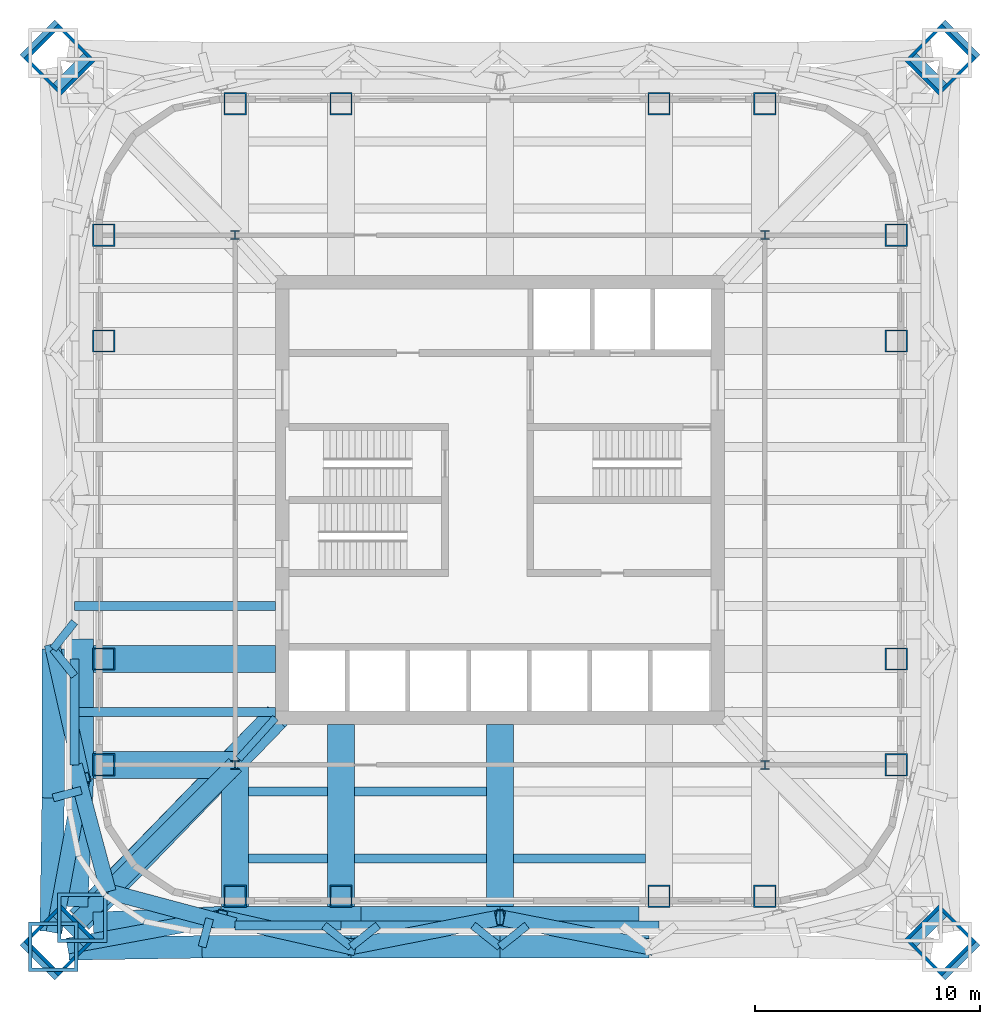
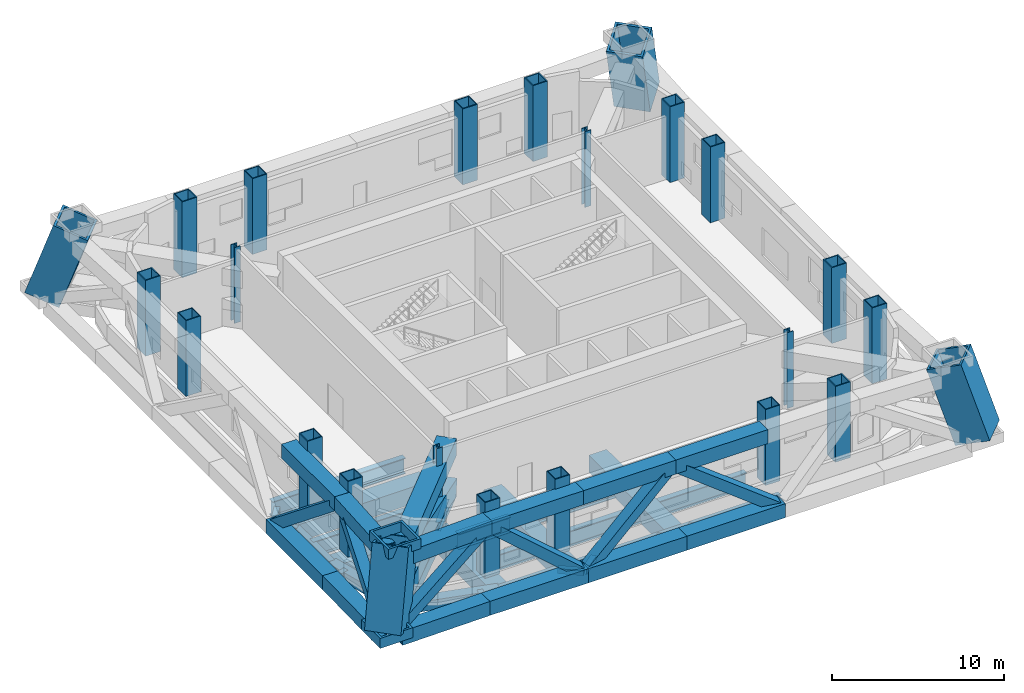
# One storey, part 1 of 9: 41 beams, 24 columns, 9 members.
"""IFC4 building model written with IfcOpenShell, lengths in metres."""

from ifc_helpers import new_model, si_unit, direction, frame, origin, origin_2d, place, context, subcontext, project, spatial, hollow_rectangle, i_section, extrude, clip, halfspace, material, material_profile, profile_set, type_object, element, save


model = new_model("IFC4")

# Units and contexts
model_context = context("Model", 3, precision=1e-05, world=origin(), true_north=direction((0.0, 1.0)))
body_context = subcontext(model_context, "Body", "Model", "MODEL_VIEW")
ifc_project = project(units=[si_unit("LENGTHUNIT", "METRE"), si_unit("AREAUNIT", "SQUARE_METRE"), si_unit("VOLUMEUNIT", "CUBIC_METRE"), si_unit("PLANEANGLEUNIT", "RADIAN"), si_unit("MASSUNIT", "GRAM", prefix="KILO")], contexts=[model_context])

# Site, building, storey
site_placement = place(None, origin())
site = spatial("IfcSite", under=ifc_project, at=site_placement, CompositionType="ELEMENT")
building_placement = place(site_placement, origin())
building = spatial("IfcBuilding", under=site, at=building_placement, Name="Turquesa Mirador Hotel Tower", CompositionType="ELEMENT")
storey_placement = place(building_placement, frame((0.0, 0.0, 221.300048828125)))
storey = spatial("IfcBuildingStorey", under=building, at=storey_placement, Name="L60", CompositionType="ELEMENT", Elevation=221.300048828125)

# Columns
ifc_material_1 = material(Name="Steel ASTM A572 Grade 50", Category="steel")
ifc_material_profile_1 = material_profile(ifc_material_1, hollow_rectangle(XDim=1.0, YDim=1.0, WallThickness=0.06005859375, at=origin_2d()), Name="BOX1000X1000X60")
ifc_profile_set_1 = profile_set([ifc_material_profile_1], Name="Steel ASTM A572 Grade 50")
column_type_1 = type_object("IfcColumnType", Name="COLUMN BOX1000X1000X60", PredefinedType="COLUMN", material=ifc_profile_set_1)
for number, where, z_axis, x_axis, name in (
    (1, (37.35009765625, 33.199951171875, 0.0), (0.0, 0.0, 1.0), (1.0, 0.0, 0.0), "COL-L60-P--17.65--11.80"),
    (2, (37.35009765625, 37.919921875, 0.0), (0.0, 0.0, 1.0), (1.0, 0.0, 0.0), "COL-L60-P--17.65--7.08"),
    (3, (37.35009765625, 52.080078125, 0.0), (0.0, 0.0, 1.0), (1.0, 0.0, 0.0), "COL-L60-P--17.65-+7.08"),
    (4, (37.35009765625, 56.800048828125, 0.0), (0.0, 0.0, 1.0), (1.0, 0.0, 0.0), "COL-L60-P--17.65-+11.80"),
    (5, (43.199951171875, 27.35009765625, 0.0), (0.0, 0.0, 1.0), (1.0, 0.0, 0.0), "COL-L60-P--11.80--17.65"),
    (6, (43.199951171875, 62.64990234375, 0.0), (0.0, 0.0, 1.0), (1.0, 0.0, 0.0), "COL-L60-P--11.80-+17.65"),
    (7, (47.919921875, 27.35009765625, 0.0), (0.0, 0.0, 1.0), (1.0, 0.0, 0.0), "COL-L60-P--7.08--17.65"),
    (8, (47.919921875, 62.64990234375, 0.0), (0.0, 0.0, 1.0), (1.0, 0.0, 0.0), "COL-L60-P--7.08-+17.65"),
    (9, (62.080078125, 27.35009765625, 0.0), (0.0, 0.0, 1.0), (1.0, 0.0, 0.0), "COL-L60-P-+7.08--17.65"),
    (10, (62.080078125, 62.64990234375, 0.0), (0.0, 0.0, 1.0), (1.0, 0.0, 0.0), "COL-L60-P-+7.08-+17.65"),
    (11, (66.800048828125, 27.35009765625, 0.0), (0.0, 0.0, 1.0), (1.0, 0.0, 0.0), "COL-L60-P-+11.80--17.65"),
    (12, (66.800048828125, 62.64990234375, 0.0), (0.0, 0.0, 1.0), (1.0, 0.0, 0.0), "COL-L60-P-+11.80-+17.65"),
    (13, (72.64990234375, 33.199951171875, 0.0), (0.0, 0.0, 1.0), (1.0, 0.0, 0.0), "COL-L60-P-+17.65--11.80"),
    (14, (72.64990234375, 37.919921875, 0.0), (0.0, 0.0, 1.0), (1.0, 0.0, 0.0), "COL-L60-P-+17.65--7.08"),
    (15, (72.64990234375, 52.080078125, 0.0), (0.0, 0.0, 1.0), (1.0, 0.0, 0.0), "COL-L60-P-+17.65-+7.08"),
    (16, (72.64990234375, 56.800048828125, 0.0), (0.0, 0.0, 1.0), (1.0, 0.0, 0.0), "COL-L60-P-+17.65-+11.80"),
):
    element("IfcColumn", number, at=place(storey_placement, frame(where, z_axis=z_axis, x_axis=x_axis)), inside=storey, type_object=column_type_1, Name=name, PredefinedType="COLUMN", context=body_context, shape_type="SweptSolid", body=[
        extrude(hollow_rectangle(XDim=1.0, YDim=1.0, WallThickness=0.06005859375, at=origin_2d()), origin(), (0.0, 0.0, 1.0), 5.39990234375),
    ])
ifc_material_2 = material(Name="Steel ASTM A992 Grade 50", Category="steel")
ifc_material_profile_2 = material_profile(ifc_material_2, i_section(OverallWidth=0.406494140625, OverallDepth=0.41650390625, WebThickness=0.030029296875, FlangeThickness=0.048095703125, at=origin_2d()), Name="W14X257")
ifc_profile_set_2 = profile_set([ifc_material_profile_2], Name="Steel ASTM A992 Grade 50")
column_type_2 = type_object("IfcColumnType", Name="COLUMN W14X257", PredefinedType="COLUMN", material=ifc_profile_set_2)
for number, where, z_axis, x_axis, name in (
    (17, (43.199951171875, 33.199951171875, 0.0), (0.0, 0.0, 1.0), (1.0, 0.0, 0.0), "COL-L60-K--11.80--11.80"),
    (18, (43.199951171875, 56.800048828125, 0.0), (0.0, 0.0, 1.0), (1.0, 0.0, 0.0), "COL-L60-K--11.80-+11.80"),
    (19, (66.800048828125, 33.199951171875, 0.0), (0.0, 0.0, 1.0), (1.0, 0.0, 0.0), "COL-L60-K-+11.80--11.80"),
    (20, (66.800048828125, 56.800048828125, 0.0), (0.0, 0.0, 1.0), (1.0, 0.0, 0.0), "COL-L60-K-+11.80-+11.80"),
):
    element("IfcColumn", number, at=place(storey_placement, frame(where, z_axis=z_axis, x_axis=x_axis)), inside=storey, type_object=column_type_2, Name=name, PredefinedType="COLUMN", context=body_context, shape_type="SweptSolid", body=[
        extrude(i_section(OverallWidth=0.406494140625, OverallDepth=0.41650390625, WebThickness=0.030029296875, FlangeThickness=0.048095703125, at=origin_2d()), origin(), (0.0, 0.0, 1.0), 5.39990234375),
    ])
ifc_material_3 = material(Name="Steel ASTM A514 Grade Q", Category="steel")
ifc_material_profile_3 = material_profile(ifc_material_3, hollow_rectangle(XDim=2.199951171875, YDim=2.199951171875, WallThickness=0.14990234375, at=origin_2d()), Name="BOX2200X2200X150")
ifc_profile_set_3 = profile_set([ifc_material_profile_3], Name="Steel ASTM A514 Grade Q")
column_type_3 = type_object("IfcColumnType", Name="MEGA COLUMN BOX2200X2200X150", PredefinedType="COLUMN", material=ifc_profile_set_3)
for number, where, z_axis, x_axis, name in (
    (21, (74.89990234375, 64.89990234375, 0.0), (-0.227867894828, -0.227867894828, 0.946653286591), (0.707106781187, -0.707106781187, 0.0), "Mega column M1"),
    (22, (35.10009765625, 64.89990234375, 0.0), (0.227867894828, -0.227867894828, 0.946653286591), (0.707106781187, 0.707106781187, 0.0), "Mega column M2"),
    (23, (35.10009765625, 25.10009765625, 0.0), (0.227867894828, 0.227867894828, 0.946653286591), (-0.707106781187, 0.707106781187, 0.0), "Mega column M3"),
    (24, (74.89990234375, 25.10009765625, 0.0), (-0.227867894828, 0.227867894828, 0.946653286591), (-0.707106781187, -0.707106781187, 0.0), "Mega column M4"),
):
    element("IfcColumn", number, at=place(storey_placement, frame(where, z_axis=z_axis, x_axis=x_axis)), inside=storey, type_object=column_type_3, Name=name, PredefinedType="COLUMN", context=body_context, shape_type="Clipping", body=[
        clip(clip(extrude(hollow_rectangle(XDim=2.199951171875, YDim=2.199951171875, WallThickness=0.14990234375, at=origin_2d()), origin(), (0.0, 0.0, 1.0), 5.7041015625), halfspace(frame((0.0, 0.0, 0.16455078125), z_axis=(0.0, 0.0, -1.0), x_axis=(1.0, 0.0, 0.0)), False)), halfspace(frame((0.0, 0.0, 5.539794921875), z_axis=(0.0, 0.0, 1.0), x_axis=(1.0, 0.0, 0.0)), False)),
    ])

# Beams
ifc_material_4 = material(Name="Steel ASTM A572 Grade 50", Category="steel")
ifc_material_profile_4 = material_profile(ifc_material_4, hollow_rectangle(XDim=1.199951171875, YDim=1.199951171875, WallThickness=0.06005859375, at=origin_2d()), Name="BOX1200X1200X60")
ifc_profile_set_4 = profile_set([ifc_material_profile_4], Name="Steel ASTM A572 Grade 50")
beam_type_1 = type_object("IfcBeamType", Name="BEAM BOX1200X1200X60", PredefinedType="BEAM", material=ifc_profile_set_4)
for number, where, z_axis, x_axis, name in (
    (25, (47.919921875, 26.050048828125, -0.85009765625), (0.0, 1.0, 0.0), (-1.0, 0.0, 0.0), "GD-L60-S--7.08"),
    (26, (55.0, 26.050048828125, -0.85009765625), (0.0, 1.0, 0.0), (-1.0, 0.0, 0.0), "GD-L60-S-+0.00"),
):
    element("IfcBeam", number, at=place(storey_placement, frame(where, z_axis=z_axis, x_axis=x_axis)), inside=storey, type_object=beam_type_1, Name=name, PredefinedType="BEAM", context=body_context, shape_type="SweptSolid", body=[
        extrude(hollow_rectangle(XDim=1.199951171875, YDim=1.199951171875, WallThickness=0.06005859375, at=origin_2d()), origin(), (0.0, 0.0, 1.0), 8.949951171875),
    ])
beam_1_placement = place(storey_placement, frame((43.199951171875, 26.050048828125, -0.85009765625), z_axis=(0.0, 1.0, 0.0), x_axis=(-1.0, 0.0, 0.0)))
element("IfcBeam", 27, at=beam_1_placement, inside=storey, type_object=beam_type_1, Name="GK-L60-S--11.80", PredefinedType="BEAM", context=body_context, shape_type="SweptSolid", body=[
    extrude(hollow_rectangle(XDim=1.199951171875, YDim=1.199951171875, WallThickness=0.06005859375, at=origin_2d()), origin(), (0.0, 0.0, 1.0), 7.14990234375),
])
beam_2_placement = place(storey_placement, frame((36.050048828125, 37.919921875, -0.85009765625), z_axis=(1.0, 0.0, 0.0), x_axis=(0.0, 1.0, 0.0)))
element("IfcBeam", 28, at=beam_2_placement, inside=storey, type_object=beam_type_1, Name="GD-L60-W--7.08", PredefinedType="BEAM", context=body_context, shape_type="SweptSolid", body=[
    extrude(hollow_rectangle(XDim=1.199951171875, YDim=1.199951171875, WallThickness=0.06005859375, at=origin_2d()), origin(), (0.0, 0.0, 1.0), 8.949951171875),
])
beam_3_placement = place(storey_placement, frame((36.050048828125, 33.199951171875, -0.85009765625), z_axis=(1.0, 0.0, 0.0), x_axis=(0.0, 1.0, 0.0)))
element("IfcBeam", 29, at=beam_3_placement, inside=storey, type_object=beam_type_1, Name="GK-L60-W--11.80", PredefinedType="BEAM", context=body_context, shape_type="SweptSolid", body=[
    extrude(hollow_rectangle(XDim=1.199951171875, YDim=1.199951171875, WallThickness=0.06005859375, at=origin_2d()), origin(), (0.0, 0.0, 1.0), 7.14990234375),
])
ifc_material_5 = material(Name="Steel ASTM A572 Grade 50", Category="steel")
ifc_material_profile_5 = material_profile(ifc_material_5, hollow_rectangle(XDim=0.699951171875, YDim=0.699951171875, WallThickness=0.044921875, at=origin_2d()), Name="BOX700X700X45")
ifc_profile_set_5 = profile_set([ifc_material_profile_5], Name="Steel ASTM A572 Grade 50")
beam_type_2 = type_object("IfcBeamType", Name="BEAM BOX700X700X45", PredefinedType="BEAM", material=ifc_profile_set_5)
for number, where, z_axis, x_axis, name in (
    (30, (36.050048828125, 33.199951171875, -0.60009765625), (0.258281892145, -0.966069595935, 0.0), (0.966069595935, 0.258281892145, 0.0), "KE-L60-3-0"),
    (31, (37.558349609375, 27.558349609375, -0.60009765625), (0.966069595935, -0.258281892145, 0.0), (0.258281892145, 0.966069595935, 0.0), "KE-L60-3-1"),
):
    element("IfcBeam", number, at=place(storey_placement, frame(where, z_axis=z_axis, x_axis=x_axis)), inside=storey, type_object=beam_type_2, Name=name, PredefinedType="BEAM", context=body_context, shape_type="SweptSolid", body=[
        extrude(hollow_rectangle(XDim=0.699951171875, YDim=0.699951171875, WallThickness=0.044921875, at=origin_2d()), origin(), (0.0, 0.0, 1.0), 5.83984375),
    ])
ifc_material_6 = material(Name="Steel ASTM A572 Grade 50", Category="steel")
ifc_material_profile_6 = material_profile(ifc_material_6, hollow_rectangle(XDim=0.800048828125, YDim=0.800048828125, WallThickness=0.050048828125, at=origin_2d()), Name="BOX800X800X50")
ifc_profile_set_6 = profile_set([ifc_material_profile_6], Name="Steel ASTM A572 Grade 50")
beam_type_3 = type_object("IfcBeamType", Name="BEAM BOX800X800X50", PredefinedType="BEAM", material=ifc_profile_set_6)
beam_4_placement = place(storey_placement, frame((43.199951171875, 33.199951171875, -0.650146484375), z_axis=(-0.707106781187, -0.707106781187, 0.0), x_axis=(0.707106781187, -0.707106781187, 0.0)))
element("IfcBeam", 32, at=beam_4_placement, inside=storey, type_object=beam_type_3, Name="KD-L60-3", PredefinedType="BEAM", context=body_context, shape_type="SweptSolid", body=[
    extrude(hollow_rectangle(XDim=0.800048828125, YDim=0.800048828125, WallThickness=0.050048828125, at=origin_2d()), origin(), (0.0, 0.0, 1.0), 10.080322265625),
])
ifc_material_7 = material(Name="Steel ASTM A992 Grade 50", Category="steel")
ifc_material_profile_7 = material_profile(ifc_material_7, i_section(OverallWidth=0.3251953125, OverallDepth=0.612060546875, WebThickness=0.0126953125, FlangeThickness=0.01904296875, at=origin_2d()), Name="W24X104")
ifc_profile_set_7 = profile_set([ifc_material_profile_7], Name="Steel ASTM A992 Grade 50")
beam_type_4 = type_object("IfcBeamType", Name="BEAM W24X104", PredefinedType="BEAM", material=ifc_profile_set_7)
beam_5_placement = place(storey_placement, frame((43.365234375, 33.472900390625, -0.55615234375), z_axis=(0.666783216266, 0.745251730964, 0.0), x_axis=(-0.745251730964, 0.666783216266, 0.0)))
element("IfcBeam", 33, at=beam_5_placement, inside=storey, type_object=beam_type_4, Name="KT-L60-3", PredefinedType="BEAM", context=body_context, shape_type="SweptSolid", body=[
    extrude(i_section(OverallWidth=0.3251953125, OverallDepth=0.612060546875, WebThickness=0.0126953125, FlangeThickness=0.01904296875, at=origin_2d()), origin(), (0.0, 0.0, 1.0), 2.45166015625),
])
ifc_material_8 = material(Name="Steel ASTM A992 Grade 50", Category="steel")
ifc_material_profile_8 = material_profile(ifc_material_8, i_section(OverallWidth=0.419189453125, OverallDepth=0.927001953125, WebThickness=0.019287109375, FlangeThickness=0.031982421875, at=origin_2d()), Name="W36X231")
ifc_profile_set_8 = profile_set([ifc_material_profile_8], Name="Steel ASTM A992 Grade 50")
beam_type_5 = type_object("IfcBeamType", Name="BEAM W36X231", PredefinedType="BEAM", material=ifc_profile_set_8)
for number, where, z_axis, x_axis, name in (
    (34, (43.199951171875, 26.050048828125, -0.713623046875), (1.0, 0.0, 0.0), (0.0, 1.0, 0.0), "EB-L60-S-L"),
    (35, (36.050048828125, 33.199951171875, -0.713623046875), (0.0, 1.0, 0.0), (-1.0, 0.0, 0.0), "EB-L60-W-L"),
):
    element("IfcBeam", number, at=place(storey_placement, frame(where, z_axis=z_axis, x_axis=x_axis)), inside=storey, type_object=beam_type_5, Name=name, PredefinedType="BEAM", context=body_context, shape_type="SweptSolid", body=[
        extrude(i_section(OverallWidth=0.419189453125, OverallDepth=0.927001953125, WebThickness=0.019287109375, FlangeThickness=0.031982421875, at=origin_2d()), origin(), (0.0, 0.0, 1.0), 4.719970703125),
    ])
ifc_material_9 = material(Name="Steel ASTM A992 Grade 50", Category="steel")
ifc_material_profile_9 = material_profile(ifc_material_9, i_section(OverallWidth=0.40380859375, OverallDepth=1.11767578125, WebThickness=0.026123046875, FlangeThickness=0.044921875, at=origin_2d()), Name="W44X335")
ifc_profile_set_9 = profile_set([ifc_material_profile_9], Name="Steel ASTM A992 Grade 50")
beam_type_6 = type_object("IfcBeamType", Name="BEAM W44X335", PredefinedType="BEAM", material=ifc_profile_set_9)
beam_6_placement = place(storey_placement, frame((43.800048828125, 32.01708984375, -0.808837890625), z_axis=(1.0, 0.0, 0.0), x_axis=(0.0, 1.0, 0.0)))
element("IfcBeam", 36, at=beam_6_placement, inside=storey, type_object=beam_type_6, Name="IB-L60-S-1-0", PredefinedType="BEAM", context=body_context, shape_type="SweptSolid", body=[
    extrude(i_section(OverallWidth=0.40380859375, OverallDepth=1.11767578125, WebThickness=0.026123046875, FlangeThickness=0.044921875, at=origin_2d()), origin(), (0.0, 0.0, 1.0), 3.52001953125),
])
beam_7_placement = place(storey_placement, frame((48.52001953125, 32.01708984375, -0.808837890625), z_axis=(1.0, 0.0, 0.0), x_axis=(0.0, 1.0, 0.0)))
element("IfcBeam", 37, at=beam_7_placement, inside=storey, type_object=beam_type_6, Name="IB-L60-S-1-1", PredefinedType="BEAM", context=body_context, shape_type="SweptSolid", body=[
    extrude(i_section(OverallWidth=0.40380859375, OverallDepth=1.11767578125, WebThickness=0.026123046875, FlangeThickness=0.044921875, at=origin_2d()), origin(), (0.0, 0.0, 1.0), 5.8798828125),
])
beam_8_placement = place(storey_placement, frame((43.800048828125, 29.032958984375, -0.808837890625), z_axis=(1.0, 0.0, 0.0), x_axis=(0.0, 1.0, 0.0)))
element("IfcBeam", 38, at=beam_8_placement, inside=storey, type_object=beam_type_6, Name="IB-L60-S-2-0", PredefinedType="BEAM", context=body_context, shape_type="SweptSolid", body=[
    extrude(i_section(OverallWidth=0.40380859375, OverallDepth=1.11767578125, WebThickness=0.026123046875, FlangeThickness=0.044921875, at=origin_2d()), origin(), (0.0, 0.0, 1.0), 3.52001953125),
])
for number, where, z_axis, x_axis, name in (
    (39, (48.52001953125, 29.032958984375, -0.808837890625), (1.0, 0.0, 0.0), (0.0, 1.0, 0.0), "IB-L60-S-2-1"),
    (40, (55.60009765625, 29.032958984375, -0.808837890625), (1.0, 0.0, 0.0), (0.0, 1.0, 0.0), "IB-L60-S-2-2"),
):
    element("IfcBeam", number, at=place(storey_placement, frame(where, z_axis=z_axis, x_axis=x_axis)), inside=storey, type_object=beam_type_6, Name=name, PredefinedType="BEAM", context=body_context, shape_type="SweptSolid", body=[
        extrude(i_section(OverallWidth=0.40380859375, OverallDepth=1.11767578125, WebThickness=0.026123046875, FlangeThickness=0.044921875, at=origin_2d()), origin(), (0.0, 0.0, 1.0), 5.8798828125),
    ])
beam_9_placement = place(storey_placement, frame((47.919921875, 26.050048828125, -0.808837890625), z_axis=(1.0, 0.0, 0.0), x_axis=(0.0, 1.0, 0.0)))
element("IfcBeam", 41, at=beam_9_placement, inside=storey, type_object=beam_type_6, Name="EB-L60-S-C", PredefinedType="BEAM", context=body_context, shape_type="SweptSolid", body=[
    extrude(i_section(OverallWidth=0.40380859375, OverallDepth=1.11767578125, WebThickness=0.026123046875, FlangeThickness=0.044921875, at=origin_2d()), origin(), (0.0, 0.0, 1.0), 14.16015625),
])
for number, where, z_axis, x_axis, name in (
    (42, (36.050048828125, 35.56005859375, -0.808837890625), (1.0, 0.0, 0.0), (0.0, 1.0, 0.0), "BM-L60-W--9.44"),
    (43, (36.050048828125, 40.280029296875, -0.808837890625), (1.0, 0.0, 0.0), (0.0, 1.0, 0.0), "BM-L60-W--4.72"),
):
    element("IfcBeam", number, at=place(storey_placement, frame(where, z_axis=z_axis, x_axis=x_axis)), inside=storey, type_object=beam_type_6, Name=name, PredefinedType="BEAM", context=body_context, shape_type="SweptSolid", body=[
        extrude(i_section(OverallWidth=0.40380859375, OverallDepth=1.11767578125, WebThickness=0.026123046875, FlangeThickness=0.044921875, at=origin_2d()), origin(), (0.0, 0.0, 1.0), 8.949951171875),
    ])
ifc_material_10 = material(Name="Steel ASTM A572 Grade 50", Category="steel")
ifc_material_profile_10 = material_profile(ifc_material_10, hollow_rectangle(XDim=1.0, YDim=1.0, WallThickness=0.06005859375, at=origin_2d()), Name="BOX1000X1000X60")
ifc_profile_set_10 = profile_set([ifc_material_profile_10], Name="Steel ASTM A572 Grade 50")
beam_type_7 = type_object("IfcBeamType", Name="BELT TRUSS CHORD BOX1000X1000X60", PredefinedType="BEAM", material=ifc_profile_set_10)
beam_10_placement = place(storey_placement, frame((35.805419921875, 25.00927734375, -0.427734375), z_axis=(0.999882659941, 0.015318823339, 0.0), x_axis=(-0.015318823339, 0.999882659941, 0.0)))
element("IfcBeam", 44, at=beam_10_placement, inside=storey, type_object=beam_type_7, Name="Belt truss bottom chord S", PredefinedType="BEAM", context=body_context, shape_type="SweptSolid", body=[
    extrude(hollow_rectangle(XDim=1.0, YDim=1.0, WallThickness=0.06005859375, at=origin_2d()), origin(), (0.0, 0.0, 1.0), 5.9287109375),
])
beam_11_placement = place(storey_placement, frame((36.889892578125, 26.145751953125, 4.199951171875), z_axis=(0.999010983591, 0.044464082856, 0.0), x_axis=(-0.044464082856, 0.999010983591, 0.0)))
element("IfcBeam", 45, at=beam_11_placement, inside=storey, type_object=beam_type_7, Name="Belt truss top chord S", PredefinedType="BEAM", context=body_context, shape_type="SweptSolid", body=[
    extrude(hollow_rectangle(XDim=1.0, YDim=1.0, WallThickness=0.06005859375, at=origin_2d()), origin(), (0.0, 0.0, 1.0), 5.7158203125),
])
beam_12_placement = place(storey_placement, frame((41.7333984375, 25.10009765625, -0.427734375), z_axis=(1.0, 0.0, 0.0), x_axis=(0.0, 1.0, 0.0)))
element("IfcBeam", 46, at=beam_12_placement, inside=storey, type_object=beam_type_7, Name="Belt truss bottom chord S", PredefinedType="BEAM", context=body_context, shape_type="SweptSolid", body=[
    extrude(hollow_rectangle(XDim=1.0, YDim=1.0, WallThickness=0.06005859375, at=origin_2d()), origin(), (0.0, 0.0, 1.0), 6.63330078125),
])
beam_13_placement = place(storey_placement, frame((42.60009765625, 26.39990234375, 4.199951171875), z_axis=(1.0, 0.0, 0.0), x_axis=(0.0, 1.0, 0.0)))
element("IfcBeam", 47, at=beam_13_placement, inside=storey, type_object=beam_type_7, Name="Belt truss top chord S", PredefinedType="BEAM", context=body_context, shape_type="SweptSolid", body=[
    extrude(hollow_rectangle(XDim=1.0, YDim=1.0, WallThickness=0.06005859375, at=origin_2d()), origin(), (0.0, 0.0, 1.0), 6.199951171875),
])
beam_14_placement = place(storey_placement, frame((48.36669921875, 25.10009765625, -0.427734375), z_axis=(1.0, 0.0, 0.0), x_axis=(0.0, 1.0, 0.0)))
element("IfcBeam", 48, at=beam_14_placement, inside=storey, type_object=beam_type_7, Name="Belt truss bottom chord S", PredefinedType="BEAM", context=body_context, shape_type="SweptSolid", body=[
    extrude(hollow_rectangle(XDim=1.0, YDim=1.0, WallThickness=0.06005859375, at=origin_2d()), origin(), (0.0, 0.0, 1.0), 6.63330078125),
])
beam_15_placement = place(storey_placement, frame((48.800048828125, 26.39990234375, 4.199951171875), z_axis=(1.0, 0.0, 0.0), x_axis=(0.0, 1.0, 0.0)))
element("IfcBeam", 49, at=beam_15_placement, inside=storey, type_object=beam_type_7, Name="Belt truss top chord S", PredefinedType="BEAM", context=body_context, shape_type="SweptSolid", body=[
    extrude(hollow_rectangle(XDim=1.0, YDim=1.0, WallThickness=0.06005859375, at=origin_2d()), origin(), (0.0, 0.0, 1.0), 6.199951171875),
])
beam_16_placement = place(storey_placement, frame((55.0, 25.10009765625, -0.427734375), z_axis=(1.0, 0.0, 0.0), x_axis=(0.0, 1.0, 0.0)))
element("IfcBeam", 50, at=beam_16_placement, inside=storey, type_object=beam_type_7, Name="Belt truss bottom chord S", PredefinedType="BEAM", context=body_context, shape_type="SweptSolid", body=[
    extrude(hollow_rectangle(XDim=1.0, YDim=1.0, WallThickness=0.06005859375, at=origin_2d()), origin(), (0.0, 0.0, 1.0), 6.63330078125),
])
beam_17_placement = place(storey_placement, frame((55.0, 26.39990234375, 4.199951171875), z_axis=(1.0, 0.0, 0.0), x_axis=(0.0, 1.0, 0.0)))
element("IfcBeam", 51, at=beam_17_placement, inside=storey, type_object=beam_type_7, Name="Belt truss top chord S", PredefinedType="BEAM", context=body_context, shape_type="SweptSolid", body=[
    extrude(hollow_rectangle(XDim=1.0, YDim=1.0, WallThickness=0.06005859375, at=origin_2d()), origin(), (0.0, 0.0, 1.0), 6.199951171875),
])
beam_18_placement = place(storey_placement, frame((35.00927734375, 25.805419921875, -0.427734375), z_axis=(0.015318823339, 0.999882659941, 0.0), x_axis=(-0.999882659941, 0.015318823339, 0.0)))
element("IfcBeam", 52, at=beam_18_placement, inside=storey, type_object=beam_type_7, Name="Belt truss bottom chord W", PredefinedType="BEAM", context=body_context, shape_type="SweptSolid", body=[
    extrude(hollow_rectangle(XDim=1.0, YDim=1.0, WallThickness=0.06005859375, at=origin_2d()), origin(), (0.0, 0.0, 1.0), 5.9287109375),
])
beam_19_placement = place(storey_placement, frame((36.145751953125, 26.889892578125, 4.199951171875), z_axis=(0.044464082856, 0.999010983591, 0.0), x_axis=(-0.999010983591, 0.044464082856, 0.0)))
element("IfcBeam", 53, at=beam_19_placement, inside=storey, type_object=beam_type_7, Name="Belt truss top chord W", PredefinedType="BEAM", context=body_context, shape_type="SweptSolid", body=[
    extrude(hollow_rectangle(XDim=1.0, YDim=1.0, WallThickness=0.06005859375, at=origin_2d()), origin(), (0.0, 0.0, 1.0), 5.7158203125),
])
beam_20_placement = place(storey_placement, frame((35.10009765625, 31.7333984375, -0.427734375), z_axis=(0.0, 1.0, 0.0), x_axis=(-1.0, 0.0, 0.0)))
element("IfcBeam", 54, at=beam_20_placement, inside=storey, type_object=beam_type_7, Name="Belt truss bottom chord W", PredefinedType="BEAM", context=body_context, shape_type="SweptSolid", body=[
    extrude(hollow_rectangle(XDim=1.0, YDim=1.0, WallThickness=0.06005859375, at=origin_2d()), origin(), (0.0, 0.0, 1.0), 6.63330078125),
])
beam_21_placement = place(storey_placement, frame((36.39990234375, 32.60009765625, 4.199951171875), z_axis=(0.0, 1.0, 0.0), x_axis=(-1.0, 0.0, 0.0)))
element("IfcBeam", 55, at=beam_21_placement, inside=storey, type_object=beam_type_7, Name="Belt truss top chord W", PredefinedType="BEAM", context=body_context, shape_type="SweptSolid", body=[
    extrude(hollow_rectangle(XDim=1.0, YDim=1.0, WallThickness=0.06005859375, at=origin_2d()), origin(), (0.0, 0.0, 1.0), 6.199951171875),
])

# Members
ifc_material_11 = material(Name="Steel ASTM A572 Grade 50", Category="steel")
ifc_material_profile_11 = material_profile(ifc_material_11, hollow_rectangle(XDim=0.699951171875, YDim=0.699951171875, WallThickness=0.044921875, at=origin_2d()), Name="BOX700X700X45")
ifc_profile_set_11 = profile_set([ifc_material_profile_11], Name="Steel ASTM A572 Grade 50")
member_type_1 = type_object("IfcMemberType", Name="BELT TRUSS DIAGONAL BOX700X700X45", PredefinedType="BRACE", material=ifc_profile_set_11)
member_1_placement = place(storey_placement, frame((35.909423828125, 25.165283203125, 0.12744140625), z_axis=(0.843784939461, 0.15570226013, 0.513598853317), x_axis=(-0.181464729903, 0.983397453628, 0.0)))
element("IfcMember", 56, at=member_1_placement, inside=storey, type_object=member_type_1, Name="Belt truss diagonal S", PredefinedType="BRACE", context=body_context, shape_type="SweptSolid", body=[
    extrude(hollow_rectangle(XDim=0.699951171875, YDim=0.699951171875, WallThickness=0.044921875, at=origin_2d()), origin(), (0.0, 0.0, 1.0), 7.929443359375),
])
member_2_placement = place(storey_placement, frame((42.60009765625, 26.39990234375, 4.199951171875), z_axis=(0.768138651357, -0.173140143092, -0.61642964168), x_axis=(0.219885630944, 0.975525657943, 0.0)))
element("IfcMember", 57, at=member_2_placement, inside=storey, type_object=member_type_1, Name="Belt truss diagonal S", PredefinedType="BRACE", context=body_context, shape_type="SweptSolid", body=[
    extrude(hollow_rectangle(XDim=0.699951171875, YDim=0.699951171875, WallThickness=0.044921875, at=origin_2d()), origin(), (0.0, 0.0, 1.0), 7.50732421875),
])
for number, where, z_axis, x_axis, name in (
    (58, (48.36669921875, 25.10009765625, -0.427734375), (0.809748520039, 0.158671369919, 0.564916569648), (-0.19229443008, 0.981337277474, 0.0), "Belt truss diagonal S"),
    (59, (55.0, 26.39990234375, 4.199951171875), (0.809748520039, -0.158671369919, -0.564916569648), (0.19229443008, 0.981337277474, 0.0), "Belt truss diagonal S"),
):
    element("IfcMember", number, at=place(storey_placement, frame(where, z_axis=z_axis, x_axis=x_axis)), inside=storey, type_object=member_type_1, Name=name, PredefinedType="BRACE", context=body_context, shape_type="SweptSolid", body=[
        extrude(hollow_rectangle(XDim=0.699951171875, YDim=0.699951171875, WallThickness=0.044921875, at=origin_2d()), origin(), (0.0, 0.0, 1.0), 8.19189453125),
    ])
member_3_placement = place(storey_placement, frame((35.165283203125, 25.909423828125, 0.12744140625), z_axis=(0.15570226013, 0.843784939461, 0.513598853317), x_axis=(-0.983397453628, 0.181464729903, 0.0)))
element("IfcMember", 60, at=member_3_placement, inside=storey, type_object=member_type_1, Name="Belt truss diagonal W", PredefinedType="BRACE", context=body_context, shape_type="SweptSolid", body=[
    extrude(hollow_rectangle(XDim=0.699951171875, YDim=0.699951171875, WallThickness=0.044921875, at=origin_2d()), origin(), (0.0, 0.0, 1.0), 7.929443359375),
])
member_4_placement = place(storey_placement, frame((36.39990234375, 32.60009765625, 4.199951171875), z_axis=(-0.173140143092, 0.768138651357, -0.61642964168), x_axis=(-0.975525657943, -0.219885630944, 0.0)))
element("IfcMember", 61, at=member_4_placement, inside=storey, type_object=member_type_1, Name="Belt truss diagonal W", PredefinedType="BRACE", context=body_context, shape_type="SweptSolid", body=[
    extrude(hollow_rectangle(XDim=0.699951171875, YDim=0.699951171875, WallThickness=0.044921875, at=origin_2d()), origin(), (0.0, 0.0, 1.0), 7.50732421875),
])

# Beams
ifc_material_12 = material(Name="Steel ASTM A500 Grade C", Category="steel")
ifc_material_profile_12 = material_profile(ifc_material_12, hollow_rectangle(XDim=0.355712890625, YDim=0.355712890625, WallThickness=0.0146484375, at=origin_2d()), Name="HSS14X14X5/8")
ifc_profile_set_12 = profile_set([ifc_material_profile_12], Name="Steel ASTM A500 Grade C")
beam_type_8 = type_object("IfcBeamType", Name="BRACE STRUT HSS14X14X5/8", PredefinedType="BEAM", material=ifc_profile_set_12)
beam_22_placement = place(storey_placement, frame((41.7333984375, 25.10009765625, -0.427734375), z_axis=(0.258365826948, 0.966047151782, 0.0), x_axis=(-0.966047151782, 0.258365826948, 0.0)))
element("IfcBeam", 62, at=beam_22_placement, inside=storey, type_object=beam_type_8, Name="Brace strut", PredefinedType="BEAM", context=body_context, shape_type="SweptSolid", body=[
    extrude(hollow_rectangle(XDim=0.355712890625, YDim=0.355712890625, WallThickness=0.0146484375, at=origin_2d()), origin(), (0.0, 0.0, 1.0), 1.29638671875),
])
for number, where, z_axis, x_axis, name in (
    (63, (48.36669921875, 25.10009765625, -0.427734375), (-0.784049059149, 0.620698858423, 0.0), (-0.620698858423, -0.784049059149, 0.0), "Brace strut"),
    (64, (48.36669921875, 25.10009765625, -0.427734375), (0.784049059149, 0.620698858423, 0.0), (-0.620698858423, 0.784049059149, 0.0), "Brace strut"),
    (65, (55.0, 25.10009765625, -0.427734375), (-0.784049059149, 0.620698858423, 0.0), (-0.620698858423, -0.784049059149, 0.0), "Brace strut"),
    (66, (55.0, 25.10009765625, -0.427734375), (0.784049059149, 0.620698858423, 0.0), (-0.620698858423, 0.784049059149, 0.0), "Brace strut"),
):
    element("IfcBeam", number, at=place(storey_placement, frame(where, z_axis=z_axis, x_axis=x_axis)), inside=storey, type_object=beam_type_8, Name=name, PredefinedType="BEAM", context=body_context, shape_type="SweptSolid", body=[
        extrude(hollow_rectangle(XDim=0.355712890625, YDim=0.355712890625, WallThickness=0.0146484375, at=origin_2d()), origin(), (0.0, 0.0, 1.0), 1.530517578125),
    ])
beam_23_placement = place(storey_placement, frame((35.10009765625, 31.7333984375, -0.427734375), z_axis=(0.966047151782, 0.258365826948, 0.0), x_axis=(-0.258365826948, 0.966047151782, 0.0)))
element("IfcBeam", 67, at=beam_23_placement, inside=storey, type_object=beam_type_8, Name="Brace strut", PredefinedType="BEAM", context=body_context, shape_type="SweptSolid", body=[
    extrude(hollow_rectangle(XDim=0.355712890625, YDim=0.355712890625, WallThickness=0.0146484375, at=origin_2d()), origin(), (0.0, 0.0, 1.0), 1.29638671875),
])
for number, where, z_axis, x_axis, name in (
    (68, (35.10009765625, 38.36669921875, -0.427734375), (0.620698858423, -0.784049059149, 0.0), (0.784049059149, 0.620698858423, 0.0), "Brace strut"),
    (69, (35.10009765625, 38.36669921875, -0.427734375), (0.620698858423, 0.784049059149, 0.0), (-0.784049059149, 0.620698858423, 0.0), "Brace strut"),
):
    element("IfcBeam", number, at=place(storey_placement, frame(where, z_axis=z_axis, x_axis=x_axis)), inside=storey, type_object=beam_type_8, Name=name, PredefinedType="BEAM", context=body_context, shape_type="SweptSolid", body=[
        extrude(hollow_rectangle(XDim=0.355712890625, YDim=0.355712890625, WallThickness=0.0146484375, at=origin_2d()), origin(), (0.0, 0.0, 1.0), 1.530517578125),
    ])

# Members
ifc_material_13 = material(Name="Cast steel ASTM A958 Grade SC8620 Class 80/50", Category="steel")
ifc_material_profile_13 = material_profile(ifc_material_13, hollow_rectangle(XDim=2.199951171875, YDim=2.199951171875, WallThickness=0.14990234375, at=origin_2d()), Name="NODE2200X2200X150")
ifc_profile_set_13 = profile_set([ifc_material_profile_13], Name="Cast steel ASTM A958 Grade SC8620 Class 80/50")
member_type_2 = type_object("IfcMemberType", Name="MEGA COLUMN NODE NODE2200X2200X150", PredefinedType="USERDEFINED", material=ifc_profile_set_13)
for number, where, z_axis, x_axis, name in (
    (70, (35.10009765625, 25.10009765625, -0.201904296875), (0.0, 0.0, 1.0), (1.0, 0.0, 0.0), "Mega column node M3 base"),
    (71, (36.39990234375, 26.39990234375, 4.889892578125), (0.0, 0.0, 1.0), (1.0, 0.0, 0.0), "Mega column node M3 head"),
):
    element("IfcMember", number, at=place(storey_placement, frame(where, z_axis=z_axis, x_axis=x_axis)), inside=storey, type_object=member_type_2, Name=name, ObjectType="MEGA COLUMN NODE", PredefinedType="USERDEFINED", context=body_context, shape_type="SweptSolid", body=[
        extrude(hollow_rectangle(XDim=2.199951171875, YDim=2.199951171875, WallThickness=0.14990234375, at=origin_2d()), origin(), (0.0, 0.0, 1.0), 0.7119140625),
    ])

# Beams
ifc_material_14 = material(Name="Steel ASTM A572 Grade 50", Category="steel")
ifc_material_profile_14 = material_profile(ifc_material_14, hollow_rectangle(XDim=1.199951171875, YDim=1.199951171875, WallThickness=0.080078125, at=origin_2d()), Name="BOX1200X1200X80")
ifc_profile_set_14 = profile_set([ifc_material_profile_14], Name="Steel ASTM A572 Grade 50")
beam_type_9 = type_object("IfcBeamType", Name="OUTRIGGER CHORD BOX1200X1200X80", PredefinedType="BEAM", material=ifc_profile_set_14)
beam_24_placement = place(storey_placement, frame((45.0, 35.300048828125, 0.64990234375), z_axis=(-0.696299488255, -0.717751365485, 0.0), x_axis=(0.717751365485, -0.696299488255, 0.0)))
element("IfcBeam", 72, at=beam_24_placement, inside=storey, type_object=beam_type_9, Name="Outrigger bottom chord 3", PredefinedType="BEAM", context=body_context, shape_type="SweptSolid", body=[
    extrude(hollow_rectangle(XDim=1.199951171875, YDim=1.199951171875, WallThickness=0.080078125, at=origin_2d()), origin(), (0.0, 0.0, 1.0), 12.5302734375),
])
beam_25_placement = place(storey_placement, frame((45.0, 35.300048828125, 3.550048828125), z_axis=(-0.695476731593, -0.718548617571, 0.0), x_axis=(0.718548617571, -0.695476731593, 0.0)))
element("IfcBeam", 73, at=beam_25_placement, inside=storey, type_object=beam_type_9, Name="Outrigger top chord 3", PredefinedType="BEAM", context=body_context, shape_type="SweptSolid", body=[
    extrude(hollow_rectangle(XDim=1.199951171875, YDim=1.199951171875, WallThickness=0.080078125, at=origin_2d()), origin(), (0.0, 0.0, 1.0), 11.544677734375),
])

# Member
ifc_material_15 = material(Name="Steel ASTM A572 Grade 50", Category="steel")
ifc_material_profile_15 = material_profile(ifc_material_15, hollow_rectangle(XDim=1.199951171875, YDim=1.199951171875, WallThickness=0.080078125, at=origin_2d()), Name="BOX1200X1200X80")
ifc_profile_set_15 = profile_set([ifc_material_profile_15], Name="Steel ASTM A572 Grade 50")
member_type_3 = type_object("IfcMemberType", Name="OUTRIGGER DIAGONAL BOX1200X1200X80", PredefinedType="BRACE", material=ifc_profile_set_15)
member_5_placement = place(storey_placement, frame((45.0, 35.300048828125, 0.64990234375), z_axis=(-0.678806441121, -0.701325303506, 0.21763417506), x_axis=(0.718548617571, -0.695476731593, 0.0)))
element("IfcMember", 74, at=member_5_placement, inside=storey, type_object=member_type_3, Name="Outrigger diagonal 3", PredefinedType="BRACE", context=body_context, shape_type="SweptSolid", body=[
    extrude(hollow_rectangle(XDim=1.199951171875, YDim=1.199951171875, WallThickness=0.080078125, at=origin_2d()), origin(), (0.0, 0.0, 1.0), 11.828125),
])

save(model, "model.ifc")
